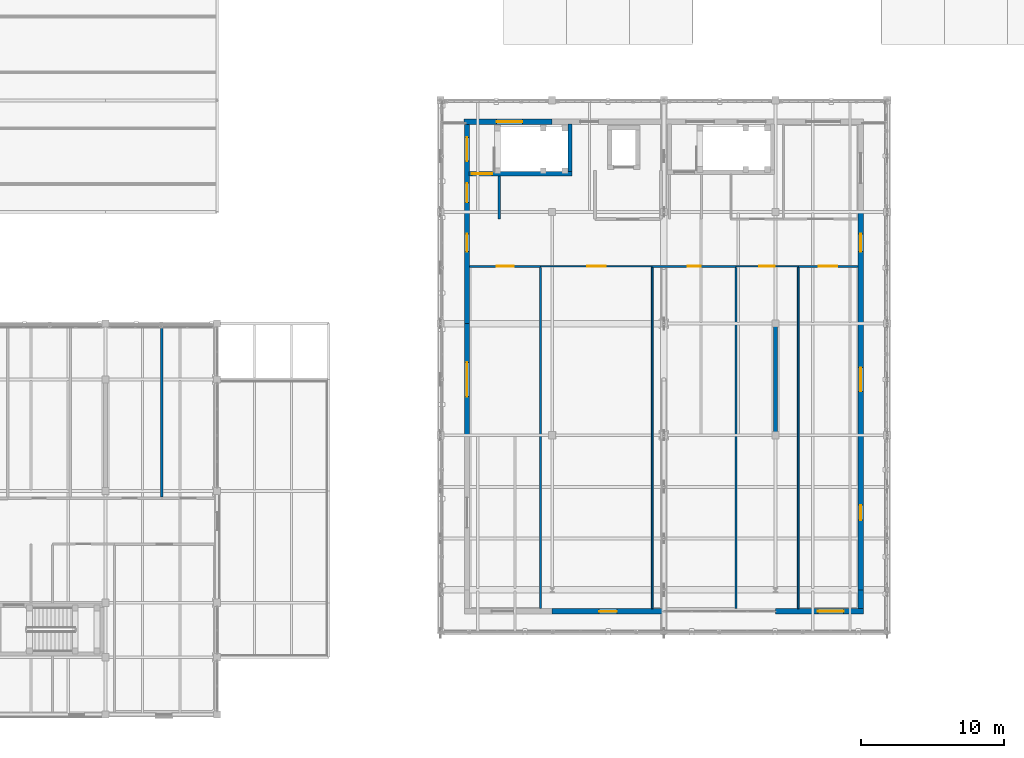
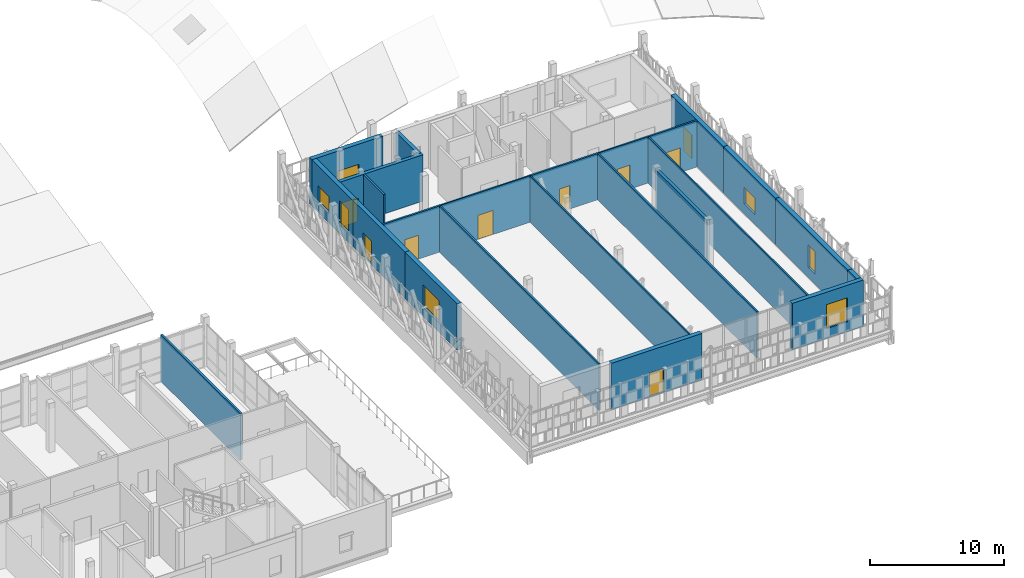
# One storey, part 67 of 89: 24 walls, 9 doors, 7 windows, 16 openings.
"""IFC4 building model written with IfcOpenShell, lengths in metres."""

from ifc_helpers import new_model, si_unit, direction, frame, frame_2d, origin, place, context, subcontext, project, spatial, rectangle, extrude, material, layer, layer_set, type_object, element, fill, save


model = new_model("IFC4")

# Units and contexts
model_context = context("Model", 3, precision=1e-05, world=origin(), true_north=direction((0.0, 1.0)))
body_context = subcontext(model_context, "Body", "Model", "MODEL_VIEW")
ifc_project = project(units=[si_unit("LENGTHUNIT", "METRE"), si_unit("AREAUNIT", "SQUARE_METRE"), si_unit("VOLUMEUNIT", "CUBIC_METRE"), si_unit("PLANEANGLEUNIT", "RADIAN"), si_unit("MASSUNIT", "GRAM", prefix="KILO")], contexts=[model_context])

# Site, building, storey
site_placement = place(None, origin())
site = spatial("IfcSite", under=ifc_project, at=site_placement, CompositionType="ELEMENT")
building_placement = place(site_placement, origin())
building = spatial("IfcBuilding", under=site, at=building_placement, Name="Celorna Specialist Clinic", CompositionType="ELEMENT")
storey_placement = place(building_placement, frame((0.0, 0.0, 14.10009765625)))
storey = spatial("IfcBuildingStorey", under=building, at=storey_placement, Name="L03", CompositionType="ELEMENT", Elevation=14.10009765625)

# Wall, opening, door
ifc_material_1 = material(Name="Terracotta masonry with insulated cavity", Category="masonry")
ifc_layer_1 = layer(ifc_material_1, 0.3798828125, Name="Terracotta masonry with insulated cavity")
ifc_layer_set_1 = layer_set([ifc_layer_1], Name="Terracotta masonry with insulated cavity")
wall_type_1 = type_object("IfcWallType", Name="WT-06", PredefinedType="STANDARD", material=ifc_layer_set_1)
wall_1_placement = place(storey_placement, frame((70.199951171875, 7.199951171875, 0.0), z_axis=(0.0, 0.0, 1.0), x_axis=(-1.0, 0.0, 0.0)))
wall_1 = element("IfcWall", 1, at=wall_1_placement, inside=storey, type_object=wall_type_1, Name="External facade wall WT-06 #409", PredefinedType="STANDARD", context=body_context, shape_type="SweptSolid", body=[
    extrude(rectangle(XDim=7.800048828125, YDim=0.3798828125, at=frame_2d((3.89990234375, 0.0))), origin(), (0.0, 0.0, 1.0), 4.239990234375),
])
opening_1_placement = place(wall_1_placement, frame((3.27490234375, 0.0, 0.0)))
opening_1 = element("IfcOpeningElement", 2, at=opening_1_placement, cuts=wall_1, Name="Opening DR-13", PredefinedType="OPENING", context=body_context, shape_type="SweptSolid", body=[
    extrude(rectangle(XDim=1.25, YDim=2.199951171875, at=frame_2d((0.625, 1.10009765625))), frame((0.0, 0.199951171875, 0.0), z_axis=(0.0, -1.0, 0.0), x_axis=(1.0, 0.0, 0.0)), (0.0, 0.0, 1.0), 0.39990234375),
])
ifc_material_2 = material(Name="Thermally broken glazed terrace door")
door_type_1 = type_object("IfcDoorType", Name="DR-13", OperationType="NOTDEFINED", PredefinedType="DOOR", material=ifc_material_2)
door_1_placement = place(opening_1_placement, frame((1.25, 0.0, 0.0), z_axis=(0.0, 0.0, 1.0), x_axis=(-1.0, 0.0, 0.0)))
door_1 = element("IfcDoor", 3, at=door_1_placement, inside=storey, type_object=door_type_1, Name="Terrace access door TER-V6-L03", OperationType="SINGLE_SWING_RIGHT", OverallHeight=2.199951171875, OverallWidth=1.25, PredefinedType="DOOR", context=body_context, shape_type="SweptSolid", body=[
    extrude(rectangle(XDim=1.25, YDim=2.199951171875, at=frame_2d((0.625, 1.10009765625))), frame((0.0, 0.02490234375, 0.0), z_axis=(0.0, -1.0, 0.0), x_axis=(1.0, 0.0, 0.0)), (0.0, 0.0, 1.0), 0.050048828125),
])
fill(opening_1, door_1)

# Wall, opening, window
wall_2_placement = place(storey_placement, frame((84.139892578125, 7.199951171875, 0.0), z_axis=(0.0, 0.0, 1.0), x_axis=(-1.0, 0.0, 0.0)))
wall_2 = element("IfcWall", 4, at=wall_2_placement, inside=storey, type_object=wall_type_1, Name="External facade wall WT-06 #410", PredefinedType="STANDARD", context=body_context, shape_type="SweptSolid", body=[
    extrude(rectangle(XDim=6.139892578125, YDim=0.3798828125, at=frame_2d((3.06982421875, 0.0))), origin(), (0.0, 0.0, 1.0), 4.239990234375),
])
opening_2_placement = place(wall_2_placement, frame((1.385009765625, 0.0, 0.89990234375)))
opening_2 = element("IfcOpeningElement", 5, at=opening_2_placement, cuts=wall_2, Name="Opening WN-14", PredefinedType="OPENING", context=body_context, shape_type="SweptSolid", body=[
    extrude(rectangle(XDim=1.800048828125, YDim=2.199951171875, at=frame_2d((0.89990234375, 1.10009765625))), frame((0.0, 0.199951171875, 0.0), z_axis=(0.0, -1.0, 0.0), x_axis=(1.0, 0.0, 0.0)), (0.0, 0.0, 1.0), 0.39990234375),
])
ifc_material_3 = material(Name="Thermally broken aluminium triple-glazed window", Category="aluminium")
window_type_1 = type_object("IfcWindowType", Name="WN-14", PartitioningType="SINGLE_PANEL", PredefinedType="WINDOW", material=ifc_material_3)
window_1_placement = place(opening_2_placement, origin())
window_1 = element("IfcWindow", 6, at=window_1_placement, inside=storey, type_object=window_type_1, Name="Facade window WN-14 #269", OverallHeight=2.199951171875, OverallWidth=1.800048828125, PartitioningType="SINGLE_PANEL", PredefinedType="WINDOW", context=body_context, shape_type="SweptSolid", body=[
    extrude(rectangle(XDim=1.800048828125, YDim=2.199951171875, at=frame_2d((0.89990234375, 1.10009765625))), frame((0.0, 0.030029296875, 0.0), z_axis=(0.0, -1.0, 0.0), x_axis=(1.0, 0.0, 0.0)), (0.0, 0.0, 1.0), 0.06005859375),
])
fill(opening_2, window_1)

wall_3_placement = place(storey_placement, frame((56.260009765625, 41.39990234375, 0.0), z_axis=(0.0, 0.0, 1.0), x_axis=(1.0, 0.0, 0.0)))
wall_3 = element("IfcWall", 7, at=wall_3_placement, inside=storey, type_object=wall_type_1, Name="External facade wall WT-06 #411", PredefinedType="STANDARD", context=body_context, shape_type="SweptSolid", body=[
    extrude(rectangle(XDim=6.139892578125, YDim=0.3798828125, at=frame_2d((3.06982421875, 0.0))), origin(), (0.0, 0.0, 1.0), 4.239990234375),
])
opening_3_placement = place(wall_3_placement, frame((2.2548828125, 0.0, 0.89990234375)))
opening_3 = element("IfcOpeningElement", 8, at=opening_3_placement, cuts=wall_3, Name="Opening WN-12", PredefinedType="OPENING", context=body_context, shape_type="SweptSolid", body=[
    extrude(rectangle(XDim=1.800048828125, YDim=1.5, at=frame_2d((0.89990234375, 0.75))), frame((0.0, 0.199951171875, 0.0), z_axis=(0.0, -1.0, 0.0), x_axis=(1.0, 0.0, 0.0)), (0.0, 0.0, 1.0), 0.39990234375),
])
window_type_2 = type_object("IfcWindowType", Name="WN-12", PartitioningType="SINGLE_PANEL", PredefinedType="WINDOW", material=ifc_material_3)
window_2_placement = place(opening_3_placement, origin())
window_2 = element("IfcWindow", 9, at=window_2_placement, inside=storey, type_object=window_type_2, Name="Facade window WN-12 #270", OverallHeight=1.5, OverallWidth=1.800048828125, PartitioningType="SINGLE_PANEL", PredefinedType="WINDOW", context=body_context, shape_type="SweptSolid", body=[
    extrude(rectangle(XDim=1.800048828125, YDim=1.5, at=frame_2d((0.89990234375, 0.75))), frame((0.0, 0.030029296875, 0.0), z_axis=(0.0, -1.0, 0.0), x_axis=(1.0, 0.0, 0.0)), (0.0, 0.0, 1.0), 0.06005859375),
])
fill(opening_3, window_2)

wall_4_placement = place(storey_placement, frame((56.449951171875, 19.5, 0.0), z_axis=(0.0, 0.0, 1.0), x_axis=(0.0, 1.0, 0.0)))
wall_4 = element("IfcWall", 10, at=wall_4_placement, inside=storey, type_object=wall_type_1, Name="External facade wall WT-06 #417", PredefinedType="STANDARD", context=body_context, shape_type="SweptSolid", body=[
    extrude(rectangle(XDim=7.800048828125, YDim=0.3798828125, at=frame_2d((3.89990234375, 0.0))), origin(), (0.0, 0.0, 1.0), 4.239990234375),
])
opening_4_placement = place(wall_4_placement, frame((2.699951171875, 0.0, 0.89990234375)))
opening_4 = element("IfcOpeningElement", 11, at=opening_4_placement, cuts=wall_4, Name="Opening WN-19", PredefinedType="OPENING", context=body_context, shape_type="SweptSolid", body=[
    extrude(rectangle(XDim=2.39990234375, YDim=2.0, at=frame_2d((1.199951171875, 1.0))), frame((0.0, 0.199951171875, 0.0), z_axis=(0.0, -1.0, 0.0), x_axis=(1.0, 0.0, 0.0)), (0.0, 0.0, 1.0), 0.39990234375),
])
ifc_material_4 = material(Name="Rehabilitation gym daylight window")
window_type_3 = type_object("IfcWindowType", Name="WN-19", PartitioningType="SINGLE_PANEL", PredefinedType="WINDOW", material=ifc_material_4)
window_3_placement = place(opening_4_placement, origin())
window_3 = element("IfcWindow", 12, at=window_3_placement, inside=storey, type_object=window_type_3, Name="Facade window WN-19 #275", OverallHeight=2.0, OverallWidth=2.39990234375, PartitioningType="SINGLE_PANEL", PredefinedType="WINDOW", context=body_context, shape_type="SweptSolid", body=[
    extrude(rectangle(XDim=2.39990234375, YDim=2.0, at=frame_2d((1.199951171875, 1.0))), frame((0.0, 0.030029296875, 0.0), z_axis=(0.0, -1.0, 0.0), x_axis=(1.0, 0.0, 0.0)), (0.0, 0.0, 1.0), 0.06005859375),
])
fill(opening_4, window_3)

# Wall, opening, door
wall_5_placement = place(storey_placement, frame((56.449951171875, 27.300048828125, 0.0), z_axis=(0.0, 0.0, 1.0), x_axis=(0.0, 1.0, 0.0)))
wall_5 = element("IfcWall", 13, at=wall_5_placement, inside=storey, type_object=wall_type_1, Name="External facade wall WT-06 #418", PredefinedType="STANDARD", context=body_context, shape_type="SweptSolid", body=[
    extrude(rectangle(XDim=7.800048828125, YDim=0.3798828125, at=frame_2d((3.89990234375, 0.0))), origin(), (0.0, 0.0, 1.0), 4.239990234375),
])
opening_5_placement = place(wall_5_placement, frame((5.02490234375, 0.0, 0.0)))
opening_5 = element("IfcOpeningElement", 14, at=opening_5_placement, cuts=wall_5, Name="Opening DR-13", PredefinedType="OPENING", context=body_context, shape_type="SweptSolid", body=[
    extrude(rectangle(XDim=1.25, YDim=2.199951171875, at=frame_2d((0.625, 1.10009765625))), frame((0.0, 0.199951171875, 0.0), z_axis=(0.0, -1.0, 0.0), x_axis=(1.0, 0.0, 0.0)), (0.0, 0.0, 1.0), 0.39990234375),
])
door_2_placement = place(opening_5_placement, frame((1.25, 0.0, 0.0), z_axis=(0.0, 0.0, 1.0), x_axis=(-1.0, 0.0, 0.0)))
door_2 = element("IfcDoor", 15, at=door_2_placement, inside=storey, type_object=door_type_1, Name="Veranda access door TER-V6-L03 west", OperationType="SINGLE_SWING_RIGHT", OverallHeight=2.199951171875, OverallWidth=1.25, PredefinedType="DOOR", context=body_context, shape_type="SweptSolid", body=[
    extrude(rectangle(XDim=1.25, YDim=2.199951171875, at=frame_2d((0.625, 1.10009765625))), frame((0.0, 0.02490234375, 0.0), z_axis=(0.0, -1.0, 0.0), x_axis=(1.0, 0.0, 0.0)), (0.0, 0.0, 1.0), 0.050048828125),
])
fill(opening_5, door_2)

# Wall, openings, windows
wall_6_placement = place(storey_placement, frame((56.449951171875, 35.10009765625, 0.0), z_axis=(0.0, 0.0, 1.0), x_axis=(0.0, 1.0, 0.0)))
wall_6 = element("IfcWall", 16, at=wall_6_placement, inside=storey, type_object=wall_type_1, Name="External facade wall WT-06 #419", PredefinedType="STANDARD", context=body_context, shape_type="SweptSolid", body=[
    extrude(rectangle(XDim=6.10986328125, YDim=0.3798828125, at=frame_2d((3.054931640625, 0.0))), origin(), (0.0, 0.0, 1.0), 4.239990234375),
])
opening_6_placement = place(wall_6_placement, frame((0.669921875, 0.0, 0.89990234375)))
opening_6 = element("IfcOpeningElement", 17, at=opening_6_placement, cuts=wall_6, Name="Opening WN-23", PredefinedType="OPENING", context=body_context, shape_type="SweptSolid", body=[
    extrude(rectangle(XDim=1.35009765625, YDim=2.10009765625, at=frame_2d((0.675048828125, 1.050048828125))), frame((0.0, 0.199951171875, 0.0), z_axis=(0.0, -1.0, 0.0), x_axis=(1.0, 0.0, 0.0)), (0.0, 0.0, 1.0), 0.39990234375),
])
opening_7_placement = place(wall_6_placement, frame((3.554931640625, 0.0, 0.89990234375)))
opening_7 = element("IfcOpeningElement", 18, at=opening_7_placement, cuts=wall_6, Name="Opening WN-24", PredefinedType="OPENING", context=body_context, shape_type="SweptSolid", body=[
    extrude(rectangle(XDim=1.64990234375, YDim=1.5, at=frame_2d((0.824951171875, 0.75))), frame((0.0, 0.199951171875, 0.0), z_axis=(0.0, -1.0, 0.0), x_axis=(1.0, 0.0, 0.0)), (0.0, 0.0, 1.0), 0.39990234375),
])
window_type_4 = type_object("IfcWindowType", Name="WN-23", PartitioningType="SINGLE_PANEL", PredefinedType="WINDOW", material=ifc_material_3)
window_4_placement = place(opening_6_placement, origin())
window_4 = element("IfcWindow", 19, at=window_4_placement, inside=storey, type_object=window_type_4, Name="Facade window WN-23 #276", OverallHeight=2.10009765625, OverallWidth=1.35009765625, PartitioningType="SINGLE_PANEL", PredefinedType="WINDOW", context=body_context, shape_type="SweptSolid", body=[
    extrude(rectangle(XDim=1.35009765625, YDim=2.10009765625, at=frame_2d((0.675048828125, 1.050048828125))), frame((0.0, 0.030029296875, 0.0), z_axis=(0.0, -1.0, 0.0), x_axis=(1.0, 0.0, 0.0)), (0.0, 0.0, 1.0), 0.06005859375),
])
fill(opening_6, window_4)
window_type_5 = type_object("IfcWindowType", Name="WN-24", PartitioningType="SINGLE_PANEL", PredefinedType="WINDOW", material=ifc_material_3)
window_5_placement = place(opening_7_placement, origin())
window_5 = element("IfcWindow", 20, at=window_5_placement, inside=storey, type_object=window_type_5, Name="Facade window WN-24 #277", OverallHeight=1.5, OverallWidth=1.64990234375, PartitioningType="SINGLE_PANEL", PredefinedType="WINDOW", context=body_context, shape_type="SweptSolid", body=[
    extrude(rectangle(XDim=1.64990234375, YDim=1.5, at=frame_2d((0.824951171875, 0.75))), frame((0.0, 0.030029296875, 0.0), z_axis=(0.0, -1.0, 0.0), x_axis=(1.0, 0.0, 0.0)), (0.0, 0.0, 1.0), 0.06005859375),
])
fill(opening_7, window_5)

# Wall
wall_7_placement = place(storey_placement, frame((83.949951171875, 8.699951171875, 0.0), z_axis=(0.0, 0.0, 1.0), x_axis=(0.0, -1.0, 0.0)))
element("IfcWall", 21, at=wall_7_placement, inside=storey, type_object=wall_type_1, Name="External facade wall WT-06 #420", PredefinedType="STANDARD", context=body_context, shape_type="SweptSolid", body=[
    extrude(rectangle(XDim=1.31005859375, YDim=0.3798828125, at=frame_2d((0.655029296875, 0.0))), origin(), (0.0, 0.0, 1.0), 4.239990234375),
])

# Wall, opening, window
wall_8_placement = place(storey_placement, frame((83.949951171875, 19.5, 0.0), z_axis=(0.0, 0.0, 1.0), x_axis=(0.0, -1.0, 0.0)))
wall_8 = element("IfcWall", 22, at=wall_8_placement, inside=storey, type_object=wall_type_1, Name="External facade wall WT-06 #421", PredefinedType="STANDARD", context=body_context, shape_type="SweptSolid", body=[
    extrude(rectangle(XDim=10.800048828125, YDim=0.3798828125, at=frame_2d((5.39990234375, 0.0))), origin(), (0.0, 0.0, 1.0), 4.239990234375),
])
opening_8_placement = place(wall_8_placement, frame((4.875, 0.0, 0.89990234375)))
opening_8 = element("IfcOpeningElement", 23, at=opening_8_placement, cuts=wall_8, Name="Opening WN-22", PredefinedType="OPENING", context=body_context, shape_type="SweptSolid", body=[
    extrude(rectangle(XDim=1.050048828125, YDim=2.050048828125, at=frame_2d((0.52490234375, 1.02490234375))), frame((0.0, 0.199951171875, 0.0), z_axis=(0.0, -1.0, 0.0), x_axis=(1.0, 0.0, 0.0)), (0.0, 0.0, 1.0), 0.39990234375),
])
window_type_6 = type_object("IfcWindowType", Name="WN-22", PartitioningType="SINGLE_PANEL", PredefinedType="WINDOW", material=ifc_material_3)
window_6_placement = place(opening_8_placement, origin())
window_6 = element("IfcWindow", 24, at=window_6_placement, inside=storey, type_object=window_type_6, Name="Facade window WN-22 #278", OverallHeight=2.050048828125, OverallWidth=1.050048828125, PartitioningType="SINGLE_PANEL", PredefinedType="WINDOW", context=body_context, shape_type="SweptSolid", body=[
    extrude(rectangle(XDim=1.050048828125, YDim=2.050048828125, at=frame_2d((0.52490234375, 1.02490234375))), frame((0.0, 0.030029296875, 0.0), z_axis=(0.0, -1.0, 0.0), x_axis=(1.0, 0.0, 0.0)), (0.0, 0.0, 1.0), 0.06005859375),
])
fill(opening_8, window_6)

wall_9_placement = place(storey_placement, frame((83.949951171875, 27.300048828125, 0.0), z_axis=(0.0, 0.0, 1.0), x_axis=(0.0, -1.0, 0.0)))
wall_9 = element("IfcWall", 25, at=wall_9_placement, inside=storey, type_object=wall_type_1, Name="External facade wall WT-06 #422", PredefinedType="STANDARD", context=body_context, shape_type="SweptSolid", body=[
    extrude(rectangle(XDim=7.800048828125, YDim=0.3798828125, at=frame_2d((3.89990234375, 0.0))), origin(), (0.0, 0.0, 1.0), 4.239990234375),
])
opening_9_placement = place(wall_9_placement, frame((3.074951171875, 0.0, 0.89990234375)))
opening_9 = element("IfcOpeningElement", 26, at=opening_9_placement, cuts=wall_9, Name="Opening WN-24", PredefinedType="OPENING", context=body_context, shape_type="SweptSolid", body=[
    extrude(rectangle(XDim=1.64990234375, YDim=1.5, at=frame_2d((0.824951171875, 0.75))), frame((0.0, 0.199951171875, 0.0), z_axis=(0.0, -1.0, 0.0), x_axis=(1.0, 0.0, 0.0)), (0.0, 0.0, 1.0), 0.39990234375),
])
window_7_placement = place(opening_9_placement, origin())
window_7 = element("IfcWindow", 27, at=window_7_placement, inside=storey, type_object=window_type_5, Name="Facade window WN-24 #279", OverallHeight=1.5, OverallWidth=1.64990234375, PartitioningType="SINGLE_PANEL", PredefinedType="WINDOW", context=body_context, shape_type="SweptSolid", body=[
    extrude(rectangle(XDim=1.64990234375, YDim=1.5, at=frame_2d((0.824951171875, 0.75))), frame((0.0, 0.030029296875, 0.0), z_axis=(0.0, -1.0, 0.0), x_axis=(1.0, 0.0, 0.0)), (0.0, 0.0, 1.0), 0.06005859375),
])
fill(opening_9, window_7)

# Wall, opening, door
wall_10_placement = place(storey_placement, frame((83.949951171875, 35.10009765625, 0.0), z_axis=(0.0, 0.0, 1.0), x_axis=(0.0, -1.0, 0.0)))
wall_10 = element("IfcWall", 28, at=wall_10_placement, inside=storey, type_object=wall_type_1, Name="External facade wall WT-06 #423", PredefinedType="STANDARD", context=body_context, shape_type="SweptSolid", body=[
    extrude(rectangle(XDim=7.800048828125, YDim=0.3798828125, at=frame_2d((3.89990234375, 0.0))), origin(), (0.0, 0.0, 1.0), 4.239990234375),
])
opening_10_placement = place(wall_10_placement, frame((1.52490234375, 0.0, 0.0)))
opening_10 = element("IfcOpeningElement", 29, at=opening_10_placement, cuts=wall_10, Name="Opening DR-13", PredefinedType="OPENING", context=body_context, shape_type="SweptSolid", body=[
    extrude(rectangle(XDim=1.25, YDim=2.199951171875, at=frame_2d((0.625, 1.10009765625))), frame((0.0, 0.199951171875, 0.0), z_axis=(0.0, -1.0, 0.0), x_axis=(1.0, 0.0, 0.0)), (0.0, 0.0, 1.0), 0.39990234375),
])
door_3_placement = place(opening_10_placement, frame((1.25, 0.0, 0.0), z_axis=(0.0, 0.0, 1.0), x_axis=(-1.0, 0.0, 0.0)))
door_3 = element("IfcDoor", 30, at=door_3_placement, inside=storey, type_object=door_type_1, Name="Veranda access door TER-V6-L03 east", OperationType="SINGLE_SWING_LEFT", OverallHeight=2.199951171875, OverallWidth=1.25, PredefinedType="DOOR", context=body_context, shape_type="SweptSolid", body=[
    extrude(rectangle(XDim=1.25, YDim=2.199951171875, at=frame_2d((0.625, 1.10009765625))), frame((0.0, 0.02490234375, 0.0), z_axis=(0.0, -1.0, 0.0), x_axis=(1.0, 0.0, 0.0)), (0.0, 0.0, 1.0), 0.050048828125),
])
fill(opening_10, door_3)

ifc_material_5 = material(Name="Concrete C35/45", Category="concrete")
ifc_layer_2 = layer(ifc_material_5, 0.300048828125, Name="Concrete C35/45")
ifc_layer_set_2 = layer_set([ifc_layer_2], Name="Concrete C35/45")
wall_type_2 = type_object("IfcWallType", Name="WT-08", PredefinedType="SHEAR", material=ifc_layer_set_2)
wall_11_placement = place(storey_placement, frame((56.60009765625, 37.77001953125, 0.0), z_axis=(0.0, 0.0, 1.0), x_axis=(1.0, 0.0, 0.0)))
wall_11 = element("IfcWall", 31, at=wall_11_placement, inside=storey, type_object=wall_type_2, Name="Stair ST-08 RC core wall L03 south", PredefinedType="SHEAR", context=body_context, shape_type="SweptSolid", body=[
    extrude(rectangle(XDim=7.199951171875, YDim=0.300048828125, at=frame_2d((3.60009765625, 0.0))), origin(), (0.0, 0.0, 1.0), 4.239990234375),
])
opening_11_placement = place(wall_11_placement, frame((0.199951171875, 0.0, 0.0)))
opening_11 = element("IfcOpeningElement", 32, at=opening_11_placement, cuts=wall_11, Name="Opening DR-10", PredefinedType="OPENING", context=body_context, shape_type="SweptSolid", body=[
    extrude(rectangle(XDim=1.39990234375, YDim=2.199951171875, at=frame_2d((0.699951171875, 1.10009765625))), frame((0.0, 0.159912109375, 0.0), z_axis=(0.0, -1.0, 0.0), x_axis=(1.0, 0.0, 0.0)), (0.0, 0.0, 1.0), 0.320068359375),
])
ifc_material_6 = material(Name="Protected exit stair fire door")
door_type_2 = type_object("IfcDoorType", Name="DR-10", OperationType="NOTDEFINED", PredefinedType="DOOR", material=ifc_material_6)
door_4_placement = place(opening_11_placement, origin())
door_4 = element("IfcDoor", 33, at=door_4_placement, inside=storey, type_object=door_type_2, Name="Protected exit stair door ST-08 L03", OperationType="SINGLE_SWING_RIGHT", OverallHeight=2.199951171875, OverallWidth=1.39990234375, PredefinedType="DOOR", context=body_context, shape_type="SweptSolid", body=[
    extrude(rectangle(XDim=1.39990234375, YDim=2.199951171875, at=frame_2d((0.699951171875, 1.10009765625))), frame((0.0, 0.02490234375, 0.0), z_axis=(0.0, -1.0, 0.0), x_axis=(1.0, 0.0, 0.0)), (0.0, 0.0, 1.0), 0.050048828125),
])
fill(opening_11, door_4)

# Walls
wall_12_placement = place(storey_placement, frame((63.64990234375, 37.919921875, 0.0), z_axis=(0.0, 0.0, 1.0), x_axis=(0.0, 1.0, 0.0)))
element("IfcWall", 34, at=wall_12_placement, inside=storey, type_object=wall_type_2, Name="Stair ST-08 RC core wall L03 east", PredefinedType="SHEAR", context=body_context, shape_type="SweptSolid", body=[
    extrude(rectangle(XDim=3.330078125, YDim=0.300048828125, at=frame_2d((1.6650390625, 0.0))), origin(), (0.0, 0.0, 1.0), 4.239990234375),
])
ifc_layer_3 = layer(ifc_material_5, 0.260009765625, Name="Concrete C35/45")
ifc_layer_set_3 = layer_set([ifc_layer_3], Name="Concrete C35/45")
wall_type_3 = type_object("IfcWallType", Name="WT-10", PredefinedType="SHEAR", material=ifc_layer_set_3)
wall_13_placement = place(storey_placement, frame((78.0, 19.64990234375, 0.0), z_axis=(0.0, 0.0, 1.0), x_axis=(0.0, 1.0, 0.0)))
element("IfcWall", 35, at=wall_13_placement, inside=storey, type_object=wall_type_3, Name="Structural RC shear wall WT-10 V6 L03", PredefinedType="SHEAR", context=body_context, shape_type="SweptSolid", body=[
    extrude(rectangle(XDim=7.5, YDim=0.260009765625, at=frame_2d((3.75, 0.0))), origin(), (0.0, 0.0, 1.0), 4.239990234375),
])
ifc_material_7 = material(Name="Acoustic masonry clinical partition", Category="masonry")
ifc_layer_4 = layer(ifc_material_7, 0.179931640625, Name="Acoustic masonry clinical partition")
ifc_layer_set_4 = layer_set([ifc_layer_4], Name="Acoustic masonry clinical partition")
wall_type_4 = type_object("IfcWallType", Name="WT-13", PredefinedType="PARTITIONING", material=ifc_layer_set_4)
wall_14_placement = place(storey_placement, frame((35.139892578125, 15.18994140625, 0.0), z_axis=(0.0, 0.0, 1.0), x_axis=(0.0, 1.0, 0.0)))
element("IfcWall", 36, at=wall_14_placement, inside=storey, type_object=wall_type_4, Name="Room dividing partition WT-13 L03-050", PredefinedType="PARTITIONING", context=body_context, shape_type="SweptSolid", body=[
    extrude(rectangle(XDim=11.920166015625, YDim=0.179931640625, at=frame_2d((5.9599609375, 0.0))), origin(), (0.0, 0.0, 1.0), 4.260009765625),
])
ifc_material_8 = material(Name="Fire-rated gypsum board partition")
ifc_layer_5 = layer(ifc_material_8, 0.14990234375, Name="Fire-rated gypsum board partition")
ifc_layer_set_5 = layer_set([ifc_layer_5], Name="Fire-rated gypsum board partition")
wall_type_5 = type_object("IfcWallType", Name="WT-14", PredefinedType="PARTITIONING", material=ifc_layer_set_5)
wall_15_placement = place(storey_placement, frame((58.699951171875, 34.60009765625, 0.0), z_axis=(0.0, 0.0, 1.0), x_axis=(0.0, 1.0, 0.0)))
element("IfcWall", 37, at=wall_15_placement, inside=storey, type_object=wall_type_5, Name="Corridor spur partition WT-14", PredefinedType="PARTITIONING", context=body_context, shape_type="SweptSolid", body=[
    extrude(rectangle(XDim=3.02001953125, YDim=0.14990234375, at=frame_2d((1.510009765625, 0.0))), origin(), (0.0, 0.0, 1.0), 4.239990234375),
])

# Wall, opening, door
wall_16_placement = place(storey_placement, frame((61.590087890625, 31.300048828125, 0.0), z_axis=(0.0, 0.0, 1.0), x_axis=(-1.0, 0.0, 0.0)))
wall_16 = element("IfcWall", 38, at=wall_16_placement, inside=storey, type_object=wall_type_5, Name="Interior partition WT-14 L03-054", PredefinedType="PARTITIONING", context=body_context, shape_type="SweptSolid", body=[
    extrude(rectangle(XDim=4.9501953125, YDim=0.14990234375, at=frame_2d((2.47509765625, 0.0))), origin(), (0.0, 0.0, 1.0), 4.239990234375),
])
opening_12_placement = place(wall_16_placement, frame((1.875, 0.0, 0.0)))
opening_12 = element("IfcOpeningElement", 39, at=opening_12_placement, cuts=wall_16, Name="Opening DR-08", PredefinedType="OPENING", context=body_context, shape_type="SweptSolid", body=[
    extrude(rectangle(XDim=1.199951171875, YDim=2.199951171875, at=frame_2d((0.60009765625, 1.10009765625))), frame((0.0, 0.0849609375, 0.0), z_axis=(0.0, -1.0, 0.0), x_axis=(1.0, 0.0, 0.0)), (0.0, 0.0, 1.0), 0.169921875),
])
ifc_material_9 = material(Name="Stretcher-width clinical door")
door_type_3 = type_object("IfcDoorType", Name="DR-08", OperationType="NOTDEFINED", PredefinedType="DOOR", material=ifc_material_9)
door_5_placement = place(opening_12_placement, origin())
door_5 = element("IfcDoor", 40, at=door_5_placement, inside=storey, type_object=door_type_3, Name="Translational Oncology Research Laboratory door L03-054", OperationType="SINGLE_SWING_LEFT", OverallHeight=2.199951171875, OverallWidth=1.199951171875, PredefinedType="DOOR", context=body_context, shape_type="SweptSolid", body=[
    extrude(rectangle(XDim=1.199951171875, YDim=2.199951171875, at=frame_2d((0.60009765625, 1.10009765625))), frame((0.0, 0.02490234375, 0.0), z_axis=(0.0, -1.0, 0.0), x_axis=(1.0, 0.0, 0.0)), (0.0, 0.0, 1.0), 0.050048828125),
])
fill(opening_12, door_5)

wall_17_placement = place(storey_placement, frame((75.239990234375, 31.300048828125, 0.0), z_axis=(0.0, 0.0, 1.0), x_axis=(-1.0, 0.0, 0.0)))
wall_17 = element("IfcWall", 41, at=wall_17_placement, inside=storey, type_object=wall_type_5, Name="Interior partition WT-14 L03-056", PredefinedType="PARTITIONING", context=body_context, shape_type="SweptSolid", body=[
    extrude(rectangle(XDim=5.85009765625, YDim=0.14990234375, at=frame_2d((2.925048828125, 0.0))), origin(), (0.0, 0.0, 1.0), 4.239990234375),
])
opening_13_placement = place(wall_17_placement, frame((2.465087890625, 0.0, 0.0)))
opening_13 = element("IfcOpeningElement", 42, at=opening_13_placement, cuts=wall_17, Name="Opening DR-20", PredefinedType="OPENING", context=body_context, shape_type="SweptSolid", body=[
    extrude(rectangle(XDim=0.919921875, YDim=2.14990234375, at=frame_2d((0.4599609375, 1.074951171875))), frame((0.0, 0.0849609375, 0.0), z_axis=(0.0, -1.0, 0.0), x_axis=(1.0, 0.0, 0.0)), (0.0, 0.0, 1.0), 0.169921875),
])
ifc_material_10 = material(Name="Timber clinical consultation door", Category="wood")
door_type_4 = type_object("IfcDoorType", Name="DR-20", OperationType="NOTDEFINED", PredefinedType="DOOR", material=ifc_material_10)
door_6_placement = place(opening_13_placement, origin())
door_6 = element("IfcDoor", 43, at=door_6_placement, inside=storey, type_object=door_type_4, Name="Research Seminar Room door L03-056", OperationType="SINGLE_SWING_LEFT", OverallHeight=2.14990234375, OverallWidth=0.919921875, PredefinedType="DOOR", context=body_context, shape_type="SweptSolid", body=[
    extrude(rectangle(XDim=0.919921875, YDim=2.14990234375, at=frame_2d((0.4599609375, 1.074951171875))), frame((0.0, 0.02490234375, 0.0), z_axis=(0.0, -1.0, 0.0), x_axis=(1.0, 0.0, 0.0)), (0.0, 0.0, 1.0), 0.050048828125),
])
fill(opening_13, door_6)

wall_18_placement = place(storey_placement, frame((83.760009765625, 31.300048828125, 0.0), z_axis=(0.0, 0.0, 1.0), x_axis=(-1.0, 0.0, 0.0)))
wall_18 = element("IfcWall", 44, at=wall_18_placement, inside=storey, type_object=wall_type_5, Name="Interior partition WT-14 L03-058", PredefinedType="PARTITIONING", context=body_context, shape_type="SweptSolid", body=[
    extrude(rectangle(XDim=4.169921875, YDim=0.14990234375, at=frame_2d((2.0849609375, 0.0))), origin(), (0.0, 0.0, 1.0), 4.239990234375),
])
opening_14_placement = place(wall_18_placement, frame((1.445068359375, 0.0, 0.0)))
opening_14 = element("IfcOpeningElement", 45, at=opening_14_placement, cuts=wall_18, Name="Opening DR-22", PredefinedType="OPENING", context=body_context, shape_type="SweptSolid", body=[
    extrude(rectangle(XDim=1.280029296875, YDim=2.25, at=frame_2d((0.64013671875, 1.125))), frame((0.0, 0.0849609375, 0.0), z_axis=(0.0, -1.0, 0.0), x_axis=(1.0, 0.0, 0.0)), (0.0, 0.0, 1.0), 0.169921875),
])
ifc_material_11 = material(Name="Diagnostic procedure room door")
door_type_5 = type_object("IfcDoorType", Name="DR-22", OperationType="NOTDEFINED", PredefinedType="DOOR", material=ifc_material_11)
door_7_placement = place(opening_14_placement, origin())
door_7 = element("IfcDoor", 46, at=door_7_placement, inside=storey, type_object=door_type_5, Name="Translational Oncology Research Laboratory door L03-058", OperationType="SINGLE_SWING_LEFT", OverallHeight=2.25, OverallWidth=1.280029296875, PredefinedType="DOOR", context=body_context, shape_type="SweptSolid", body=[
    extrude(rectangle(XDim=1.280029296875, YDim=2.25, at=frame_2d((0.64013671875, 1.125))), frame((0.0, 0.02490234375, 0.0), z_axis=(0.0, -1.0, 0.0), x_axis=(1.0, 0.0, 0.0)), (0.0, 0.0, 1.0), 0.050048828125),
])
fill(opening_14, door_7)

# Walls
for number, where, z_axis, x_axis, name in (
    (47, (61.590087890625, 7.389892578125, 0.0), (0.0, 0.0, 1.0), (0.0, 1.0, 0.0), "Room dividing partition WT-14 L03-054"),
    (48, (75.239990234375, 7.389892578125, 0.0), (0.0, 0.0, 1.0), (0.0, 1.0, 0.0), "Room dividing partition WT-14 L03-056"),
):
    element("IfcWall", number, at=place(storey_placement, frame(where, z_axis=z_axis, x_axis=x_axis)), inside=storey, type_object=wall_type_5, Name=name, PredefinedType="PARTITIONING", context=body_context, shape_type="SweptSolid", body=[
        extrude(rectangle(XDim=23.835205078125, YDim=0.14990234375, at=frame_2d((11.91748046875, 0.0))), origin(), (0.0, 0.0, 1.0), 4.239990234375),
    ])

# Wall, opening, door
ifc_material_12 = material(Name="Acoustic gypsum board partition")
ifc_layer_6 = layer(ifc_material_12, 0.1201171875, Name="Acoustic gypsum board partition")
ifc_layer_set_6 = layer_set([ifc_layer_6], Name="Acoustic gypsum board partition")
wall_type_6 = type_object("IfcWallType", Name="WT-15", PredefinedType="PARTITIONING", material=ifc_layer_set_6)
wall_19_placement = place(storey_placement, frame((69.389892578125, 31.300048828125, 0.0), z_axis=(0.0, 0.0, 1.0), x_axis=(-1.0, 0.0, 0.0)))
wall_19 = element("IfcWall", 49, at=wall_19_placement, inside=storey, type_object=wall_type_6, Name="Interior partition WT-15 L03-055", PredefinedType="PARTITIONING", context=body_context, shape_type="SweptSolid", body=[
    extrude(rectangle(XDim=7.7998046875, YDim=0.1201171875, at=frame_2d((3.89990234375, 0.0))), origin(), (0.0, 0.0, 1.0), 4.239990234375),
])
opening_15_placement = place(wall_19_placement, frame((3.25, 0.0, 0.0)))
opening_15 = element("IfcOpeningElement", 50, at=opening_15_placement, cuts=wall_19, Name="Opening DR-09", PredefinedType="OPENING", context=body_context, shape_type="SweptSolid", body=[
    extrude(rectangle(XDim=1.300048828125, YDim=2.199951171875, at=frame_2d((0.64990234375, 1.10009765625))), frame((0.0, 0.070068359375, 0.0), z_axis=(0.0, -1.0, 0.0), x_axis=(1.0, 0.0, 0.0)), (0.0, 0.0, 1.0), 0.14013671875),
])
ifc_material_13 = material(Name="Lead-lined radiology room door")
door_type_6 = type_object("IfcDoorType", Name="DR-09", OperationType="NOTDEFINED", PredefinedType="DOOR", material=ifc_material_13)
door_8_placement = place(opening_15_placement, origin())
door_8 = element("IfcDoor", 51, at=door_8_placement, inside=storey, type_object=door_type_6, Name="Clinical Bioinformatics Studio door L03-055", OperationType="SINGLE_SWING_RIGHT", OverallHeight=2.199951171875, OverallWidth=1.300048828125, PredefinedType="DOOR", context=body_context, shape_type="SweptSolid", body=[
    extrude(rectangle(XDim=1.300048828125, YDim=2.199951171875, at=frame_2d((0.64990234375, 1.10009765625))), frame((0.0, 0.02490234375, 0.0), z_axis=(0.0, -1.0, 0.0), x_axis=(1.0, 0.0, 0.0)), (0.0, 0.0, 1.0), 0.050048828125),
])
fill(opening_15, door_8)

wall_20_placement = place(storey_placement, frame((79.590087890625, 31.300048828125, 0.0), z_axis=(0.0, 0.0, 1.0), x_axis=(-1.0, 0.0, 0.0)))
wall_20 = element("IfcWall", 52, at=wall_20_placement, inside=storey, type_object=wall_type_6, Name="Interior partition WT-15 L03-057", PredefinedType="PARTITIONING", context=body_context, shape_type="SweptSolid", body=[
    extrude(rectangle(XDim=4.35009765625, YDim=0.1201171875, at=frame_2d((2.175048828125, 0.0))), origin(), (0.0, 0.0, 1.0), 4.239990234375),
])
opening_16_placement = place(wall_20_placement, frame((1.635009765625, 0.0, 0.0)))
opening_16 = element("IfcOpeningElement", 53, at=opening_16_placement, cuts=wall_20, Name="Opening DR-21", PredefinedType="OPENING", context=body_context, shape_type="SweptSolid", body=[
    extrude(rectangle(XDim=1.080078125, YDim=2.199951171875, at=frame_2d((0.5400390625, 1.10009765625))), frame((0.0, 0.070068359375, 0.0), z_axis=(0.0, -1.0, 0.0), x_axis=(1.0, 0.0, 0.0)), (0.0, 0.0, 1.0), 0.14013671875),
])
ifc_material_14 = material(Name="Timber outpatient suite door", Category="wood")
door_type_7 = type_object("IfcDoorType", Name="DR-21", OperationType="NOTDEFINED", PredefinedType="DOOR", material=ifc_material_14)
door_9_placement = place(opening_16_placement, origin())
door_9 = element("IfcDoor", 54, at=door_9_placement, inside=storey, type_object=door_type_7, Name="Medical Academic Staff Office door L03-057", OperationType="SINGLE_SWING_RIGHT", OverallHeight=2.199951171875, OverallWidth=1.080078125, PredefinedType="DOOR", context=body_context, shape_type="SweptSolid", body=[
    extrude(rectangle(XDim=1.080078125, YDim=2.199951171875, at=frame_2d((0.5400390625, 1.10009765625))), frame((0.0, 0.02490234375, 0.0), z_axis=(0.0, -1.0, 0.0), x_axis=(1.0, 0.0, 0.0)), (0.0, 0.0, 1.0), 0.050048828125),
])
fill(opening_16, door_9)

# Walls
for number, where, z_axis, x_axis, name in (
    (55, (69.389892578125, 7.389892578125, 0.0), (0.0, 0.0, 1.0), (0.0, 1.0, 0.0), "Room dividing partition WT-15 L03-055"),
    (56, (79.590087890625, 7.389892578125, 0.0), (0.0, 0.0, 1.0), (0.0, 1.0, 0.0), "Room dividing partition WT-15 L03-057"),
):
    element("IfcWall", number, at=place(storey_placement, frame(where, z_axis=z_axis, x_axis=x_axis)), inside=storey, type_object=wall_type_6, Name=name, PredefinedType="PARTITIONING", context=body_context, shape_type="SweptSolid", body=[
        extrude(rectangle(XDim=23.835205078125, YDim=0.1201171875, at=frame_2d((11.91748046875, 0.0))), origin(), (0.0, 0.0, 1.0), 4.239990234375),
    ])

save(model, "model.ifc")
